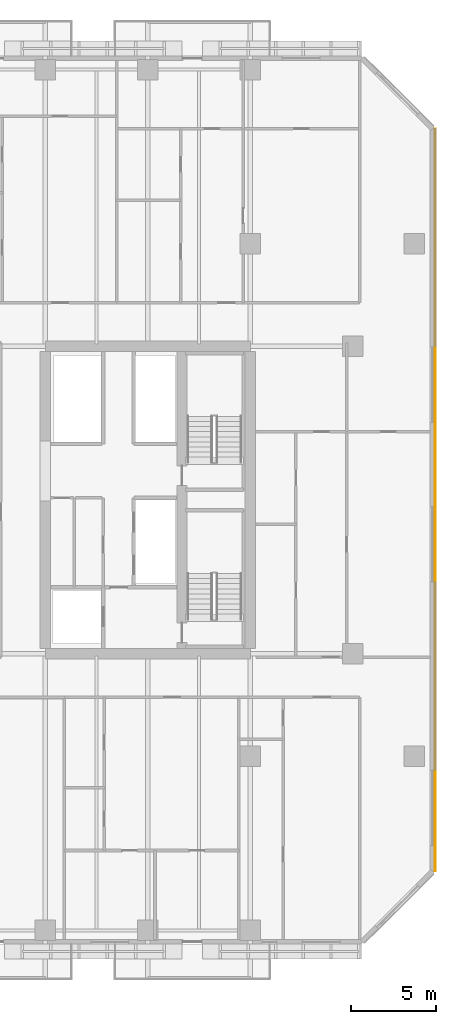
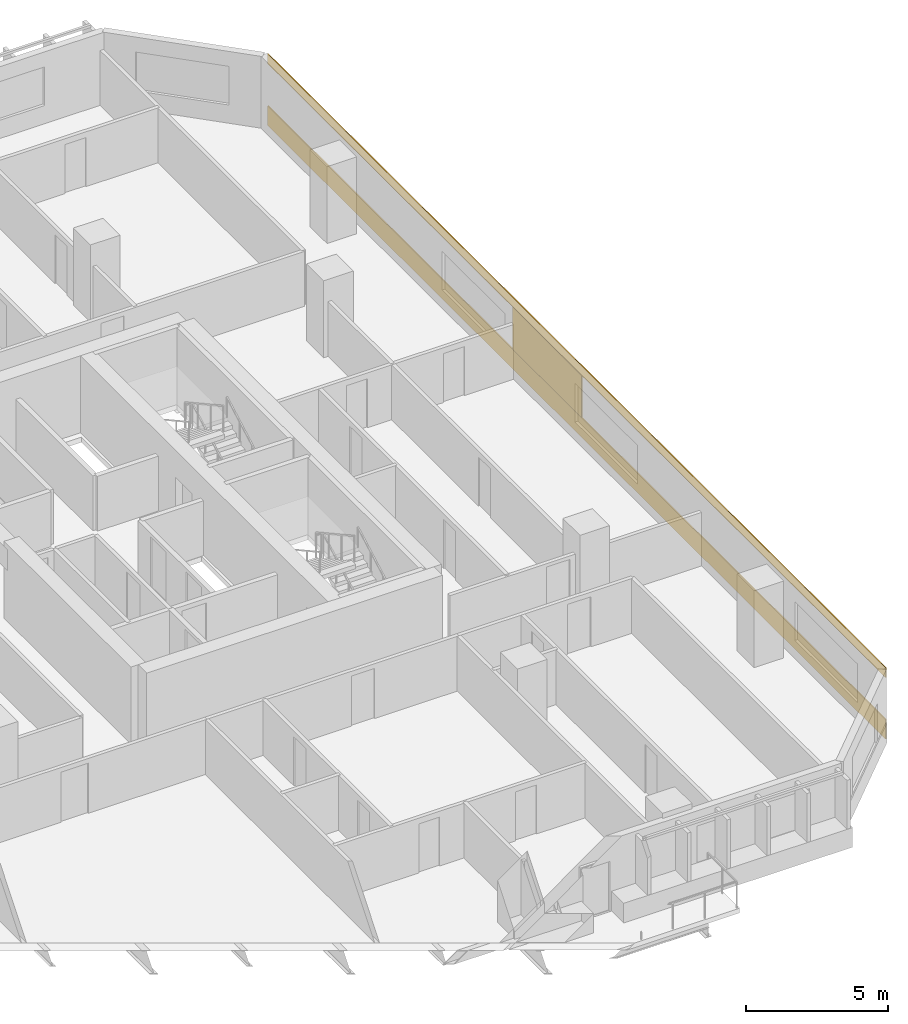
# One storey, part 24 of 25: 3 coverings.
"""IFC4 building model written with IfcOpenShell, lengths in metres."""

from ifc_helpers import new_model, si_unit, direction, frame, origin, origin_2d, place, context, subcontext, project, spatial, rectangle, extrude, material, layer, layer_set, type_object, element, save


model = new_model("IFC4")

# Units and contexts
model_context = context("Model", 3, precision=1e-05, world=origin(), true_north=direction((0.0, 1.0)))
body_context = subcontext(model_context, "Body", "Model", "MODEL_VIEW")
ifc_project = project(units=[si_unit("LENGTHUNIT", "METRE"), si_unit("AREAUNIT", "SQUARE_METRE"), si_unit("VOLUMEUNIT", "CUBIC_METRE"), si_unit("PLANEANGLEUNIT", "RADIAN"), si_unit("MASSUNIT", "GRAM", prefix="KILO")], contexts=[model_context])

# Site, building, storey
site_placement = place(None, origin())
site = spatial("IfcSite", under=ifc_project, at=site_placement, CompositionType="ELEMENT")
building_placement = place(site_placement, origin())
building = spatial("IfcBuilding", under=site, at=building_placement, Name="Tanjung Sevakor Pilgrim Tower", CompositionType="ELEMENT")
storey_placement = place(building_placement, frame((0.0, 0.0, 42.239990234375)))
storey = spatial("IfcBuildingStorey", under=building, at=storey_placement, Name="L11", CompositionType="ELEMENT", Elevation=42.239990234375)

# Coverings
ifc_material = material(Name="Reconstructed Limestone Cladding", Category="masonry")
ifc_layer = layer(ifc_material, 0.044921875)
ifc_layer_set = layer_set([ifc_layer], Name="COV-CLAD-LIMESTONE")
covering_type = type_object("IfcCoveringType", Name="COV-CLAD-LIMESTONE", PredefinedType="CLADDING", material=ifc_layer_set)
covering_1_placement = place(storey_placement, frame((100.822509765625, 33.60009765625, 0.009765625), z_axis=(0.0, 0.0, 1.0), x_axis=(0.0, 1.0, 0.0)))
element("IfcCovering", 1, at=covering_1_placement, inside=storey, type_object=covering_type, Name="L11 Warm Limestone Sill Spandrel EW-L11-MAIN-7-1", PredefinedType="CLADDING", context=body_context, shape_type="SweptSolid", body=[
    extrude(rectangle(XDim=43.404052734375, YDim=0.044921875, at=origin_2d()), origin(), (0.0, 0.0, 1.0), 0.840087890625),
])
covering_2_placement = place(storey_placement, frame((100.822509765625, 33.60009765625, 2.66015625), z_axis=(0.0, 0.0, 1.0), x_axis=(0.0, 1.0, 0.0)))
element("IfcCovering", 2, at=covering_2_placement, inside=storey, type_object=covering_type, Name="L11 Warm Limestone Cornice Spandrel EW-L11-MAIN-7", PredefinedType="CLADDING", context=body_context, shape_type="SweptSolid", body=[
    extrude(rectangle(XDim=43.444091796875, YDim=0.044921875, at=origin_2d()), origin(), (0.0, 0.0, 1.0), 0.409912109375),
])
covering_3_placement = place(storey_placement, frame((100.822509765625, 35.679931640625, 0.85009765625), z_axis=(0.0, 0.0, 1.0), x_axis=(0.0, 1.0, 0.0)))
element("IfcCovering", 3, at=covering_3_placement, inside=storey, type_object=covering_type, Name="L11 Warm Limestone Pier Panel EW-L11-MAIN-7-2", PredefinedType="CLADDING", context=body_context, shape_type="SweptSolid", body=[
    extrude(rectangle(XDim=4.840087890625, YDim=0.044921875, at=origin_2d()), origin(), (0.0, 0.0, 1.0), 1.81005859375),
])

save(model, "model.ifc")
